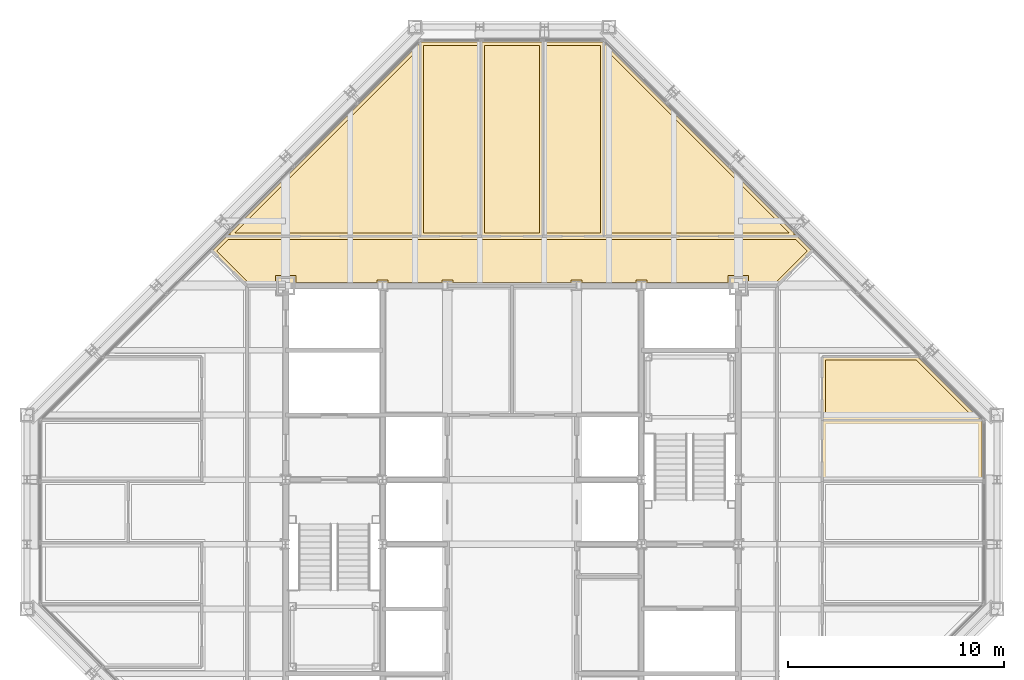
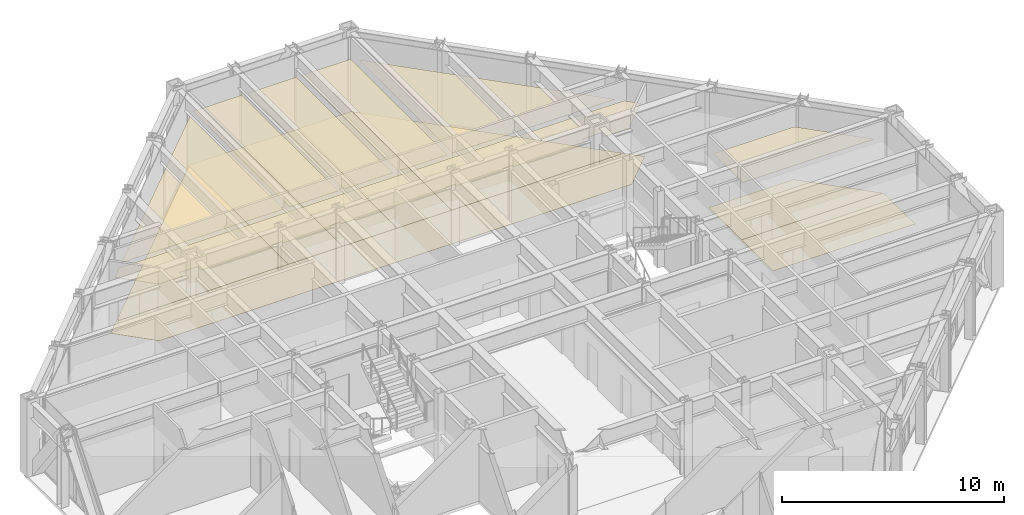
# One storey, part 15 of 15: 15 coverings.
"""IFC4 building model written with IfcOpenShell, lengths in metres."""

from ifc_helpers import new_model, si_unit, direction, frame, origin, place, context, subcontext, project, spatial, polyline, outline, extrude, material, layer, layer_set, type_object, element, save


model = new_model("IFC4")

# Units and contexts
model_context = context("Model", 3, precision=1e-05, world=origin(), true_north=direction((0.0, 1.0)))
body_context = subcontext(model_context, "Body", "Model", "MODEL_VIEW")
ifc_project = project(units=[si_unit("LENGTHUNIT", "METRE"), si_unit("AREAUNIT", "SQUARE_METRE"), si_unit("VOLUMEUNIT", "CUBIC_METRE"), si_unit("PLANEANGLEUNIT", "RADIAN"), si_unit("MASSUNIT", "GRAM", prefix="KILO")], contexts=[model_context])

# Site, building, storey
site_placement = place(None, origin())
site = spatial("IfcSite", under=ifc_project, at=site_placement, CompositionType="ELEMENT")
building_placement = place(site_placement, origin())
building = spatial("IfcBuilding", under=site, at=building_placement, Name="Chuquiago Exchange Tower", CompositionType="ELEMENT")
storey_placement = place(building_placement, frame((0.0, 0.0, 295.800048828125)))
storey = spatial("IfcBuildingStorey", under=building, at=storey_placement, Name="L66", CompositionType="ELEMENT", Elevation=295.800048828125)

# Coverings
ifc_material_1 = material(Name="Mineral fibre tile, 600 x 600, on pale metal grid", Category="mineral fibre")
ifc_layer_1 = layer(ifc_material_1, 0.02001953125)
ifc_layer_set_1 = layer_set([ifc_layer_1], Name="CL1 suspended tile ceiling 20")
covering_type_1 = type_object("IfcCoveringType", Name="CL1 suspended tile ceiling 20", PredefinedType="CEILING", material=ifc_layer_set_1)
covering_1_placement = place(storey_placement, frame((0.0, 0.0, 3.0)))
element("IfcCovering", 1, at=covering_1_placement, inside=storey, type_object=covering_type_1, Name="Ceiling Office", PredefinedType="CEILING", context=body_context, shape_type="SweptSolid", body=[
    extrude(outline(polyline([(37.050048828125, 26.901611328125), (37.050048828125, 29.54296875), (41.255126953125, 29.54296875), (43.896484375, 26.901611328125), (37.050048828125, 26.901611328125)])), origin(), (0.0, 0.0, 1.0), 0.02001953125),
])
covering_2_placement = place(storey_placement, frame((0.0, 0.0, 3.0)))
element("IfcCovering", 2, at=covering_2_placement, inside=storey, type_object=covering_type_1, Name="Ceiling Training room", PredefinedType="CEILING", context=body_context, shape_type="SweptSolid", body=[
    extrude(outline(polyline([(18.098388671875, 43.896484375), (18.098388671875, 35.449951171875), (9.652099609375, 35.449951171875), (18.098388671875, 43.896484375)])), origin(), (0.0, 0.0, 1.0), 0.02001953125),
])
covering_3_placement = place(storey_placement, frame((0.0, 0.0, 3.0)))
element("IfcCovering", 3, at=covering_3_placement, inside=storey, type_object=covering_type_1, Name="Ceiling Executive office", PredefinedType="CEILING", context=body_context, shape_type="SweptSolid", body=[
    extrude(outline(polyline([(20.932861328125, 44.14990234375), (20.932861328125, 35.449951171875), (18.3984375, 35.449951171875), (18.3984375, 44.14990234375), (20.932861328125, 44.14990234375)])), origin(), (0.0, 0.0, 1.0), 0.02001953125),
])
covering_4_placement = place(storey_placement, frame((0.0, 0.0, 3.0)))
element("IfcCovering", 4, at=covering_4_placement, inside=storey, type_object=covering_type_1, Name="Ceiling Executive office", PredefinedType="CEILING", context=body_context, shape_type="SweptSolid", body=[
    extrude(outline(polyline([(23.76708984375, 35.449951171875), (21.23291015625, 35.449951171875), (21.23291015625, 44.14990234375), (23.76708984375, 44.14990234375), (23.76708984375, 35.449951171875)])), origin(), (0.0, 0.0, 1.0), 0.02001953125),
])
covering_5_placement = place(storey_placement, frame((0.0, 0.0, 3.0)))
element("IfcCovering", 5, at=covering_5_placement, inside=storey, type_object=covering_type_1, Name="Ceiling Executive office", PredefinedType="CEILING", context=body_context, shape_type="SweptSolid", body=[
    extrude(outline(polyline([(26.6015625, 35.449951171875), (24.067138671875, 35.449951171875), (24.067138671875, 44.14990234375), (26.6015625, 44.14990234375), (26.6015625, 35.449951171875)])), origin(), (0.0, 0.0, 1.0), 0.02001953125),
])
covering_6_placement = place(storey_placement, frame((0.0, 0.0, 3.0)))
element("IfcCovering", 6, at=covering_6_placement, inside=storey, type_object=covering_type_1, Name="Ceiling Boardroom", PredefinedType="CEILING", context=body_context, shape_type="SweptSolid", body=[
    extrude(outline(polyline([(26.901611328125, 35.449951171875), (26.901611328125, 43.896484375), (35.347900390625, 35.449951171875), (26.901611328125, 35.449951171875)])), origin(), (0.0, 0.0, 1.0), 0.02001953125),
])
covering_7_placement = place(storey_placement, frame((0.0, 0.0, 3.0)))
element("IfcCovering", 7, at=covering_7_placement, inside=storey, type_object=covering_type_1, Name="Ceiling Executive reception north", PredefinedType="CEILING", context=body_context, shape_type="SweptSolid", body=[
    extrude(outline(polyline([(35.64794921875, 35.14990234375), (36.192626953125, 34.60546875), (34.7373046875, 33.14990234375), (33.47509765625, 33.14990234375), (33.47509765625, 33.47509765625), (32.52490234375, 33.47509765625), (32.52490234375, 33.14990234375), (28.75830078125, 33.14990234375), (28.75830078125, 33.272216796875), (28.24169921875, 33.272216796875), (28.24169921875, 33.14990234375), (25.75830078125, 33.14990234375), (25.75830078125, 33.272216796875), (25.24169921875, 33.272216796875), (25.24169921875, 33.14990234375), (19.75830078125, 33.14990234375), (19.75830078125, 33.272216796875), (19.24169921875, 33.272216796875), (19.24169921875, 33.14990234375), (16.75830078125, 33.14990234375), (16.75830078125, 33.272216796875), (16.24169921875, 33.272216796875), (16.24169921875, 33.14990234375), (12.47509765625, 33.14990234375), (12.47509765625, 33.47509765625), (11.52490234375, 33.47509765625), (11.52490234375, 33.14990234375), (10.2626953125, 33.14990234375), (8.807373046875, 34.60546875), (9.35205078125, 35.14990234375), (35.64794921875, 35.14990234375)])), origin(), (0.0, 0.0, 1.0), 0.02001953125),
])
ifc_material_2 = material(Name="Carpet tile, 500 x 500, on the floor slab", Category="textile")
ifc_layer_2 = layer(ifc_material_2, 0.010009765625)
ifc_layer_set_2 = layer_set([ifc_layer_2], Name="FL1 carpet tile 10")
covering_type_2 = type_object("IfcCoveringType", Name="FL1 carpet tile 10", PredefinedType="FLOORING", material=ifc_layer_set_2)
covering_8_placement = place(storey_placement, origin())
element("IfcCovering", 8, at=covering_8_placement, inside=storey, type_object=covering_type_2, Name="Floor finish Meeting room", PredefinedType="FLOORING", context=body_context, shape_type="SweptSolid", body=[
    extrude(outline(polyline([(44.300048828125, 26.710205078125), (44.300048828125, 23.917236328125), (36.89990234375, 23.917236328125), (36.89990234375, 26.75146484375), (44.258544921875, 26.75146484375), (44.300048828125, 26.710205078125)])), origin(), (0.0, 0.0, 1.0), 0.010009765625),
])
covering_9_placement = place(storey_placement, origin())
element("IfcCovering", 9, at=covering_9_placement, inside=storey, type_object=covering_type_2, Name="Floor finish Office", PredefinedType="FLOORING", context=body_context, shape_type="SweptSolid", body=[
    extrude(outline(polyline([(44.258544921875, 26.75146484375), (36.89990234375, 26.75146484375), (36.89990234375, 29.69287109375), (41.317138671875, 29.69287109375), (44.258544921875, 26.75146484375)])), origin(), (0.0, 0.0, 1.0), 0.010009765625),
])
covering_10_placement = place(storey_placement, origin())
element("IfcCovering", 10, at=covering_10_placement, inside=storey, type_object=covering_type_2, Name="Floor finish Training room", PredefinedType="FLOORING", context=body_context, shape_type="SweptSolid", body=[
    extrude(outline(polyline([(18.24853515625, 44.258544921875), (18.24853515625, 35.300048828125), (9.42431640625, 35.300048828125), (9.42431640625, 35.434326171875), (18.24853515625, 44.258544921875)])), origin(), (0.0, 0.0, 1.0), 0.010009765625),
])
covering_11_placement = place(storey_placement, origin())
element("IfcCovering", 11, at=covering_11_placement, inside=storey, type_object=covering_type_2, Name="Floor finish Executive office", PredefinedType="FLOORING", context=body_context, shape_type="SweptSolid", body=[
    extrude(outline(polyline([(18.289794921875, 44.300048828125), (21.082763671875, 44.300048828125), (21.082763671875, 35.300048828125), (18.24853515625, 35.300048828125), (18.24853515625, 44.258544921875), (18.289794921875, 44.300048828125)])), origin(), (0.0, 0.0, 1.0), 0.010009765625),
])
covering_12_placement = place(storey_placement, origin())
element("IfcCovering", 12, at=covering_12_placement, inside=storey, type_object=covering_type_2, Name="Floor finish Executive office", PredefinedType="FLOORING", context=body_context, shape_type="SweptSolid", body=[
    extrude(outline(polyline([(23.917236328125, 44.300048828125), (23.917236328125, 35.300048828125), (21.082763671875, 35.300048828125), (21.082763671875, 44.300048828125), (23.917236328125, 44.300048828125)])), origin(), (0.0, 0.0, 1.0), 0.010009765625),
])
covering_13_placement = place(storey_placement, origin())
element("IfcCovering", 13, at=covering_13_placement, inside=storey, type_object=covering_type_2, Name="Floor finish Executive office", PredefinedType="FLOORING", context=body_context, shape_type="SweptSolid", body=[
    extrude(outline(polyline([(26.710205078125, 44.300048828125), (26.75146484375, 44.258544921875), (26.75146484375, 35.300048828125), (23.917236328125, 35.300048828125), (23.917236328125, 44.300048828125), (26.710205078125, 44.300048828125)])), origin(), (0.0, 0.0, 1.0), 0.010009765625),
])
covering_14_placement = place(storey_placement, origin())
element("IfcCovering", 14, at=covering_14_placement, inside=storey, type_object=covering_type_2, Name="Floor finish Boardroom", PredefinedType="FLOORING", context=body_context, shape_type="SweptSolid", body=[
    extrude(outline(polyline([(35.57568359375, 35.434326171875), (35.57568359375, 35.300048828125), (26.75146484375, 35.300048828125), (26.75146484375, 44.258544921875), (35.57568359375, 35.434326171875)])), origin(), (0.0, 0.0, 1.0), 0.010009765625),
])
ifc_material_3 = material(Name="Porcelain floor tile, 600 x 600, on adhesive bed", Category="ceramic")
ifc_layer_3 = layer(ifc_material_3, 0.014892578125)
ifc_layer_set_3 = layer_set([ifc_layer_3], Name="FL2 porcelain tile 15")
covering_type_3 = type_object("IfcCoveringType", Name="FL2 porcelain tile 15", PredefinedType="FLOORING", material=ifc_layer_set_3)
covering_15_placement = place(storey_placement, origin())
element("IfcCovering", 15, at=covering_15_placement, inside=storey, type_object=covering_type_3, Name="Floor finish Executive reception north", PredefinedType="FLOORING", context=body_context, shape_type="SweptSolid", body=[
    extrude(outline(polyline([(9.42431640625, 35.300048828125), (35.57568359375, 35.300048828125), (35.57568359375, 35.434326171875), (36.40478515625, 34.60546875), (34.799560546875, 33.0), (10.200439453125, 33.0), (8.59521484375, 34.60546875), (13.631591796875, 39.6416015625), (9.42431640625, 35.434326171875), (9.42431640625, 35.300048828125)])), origin(), (0.0, 0.0, 1.0), 0.014892578125),
])

save(model, "model.ifc")
